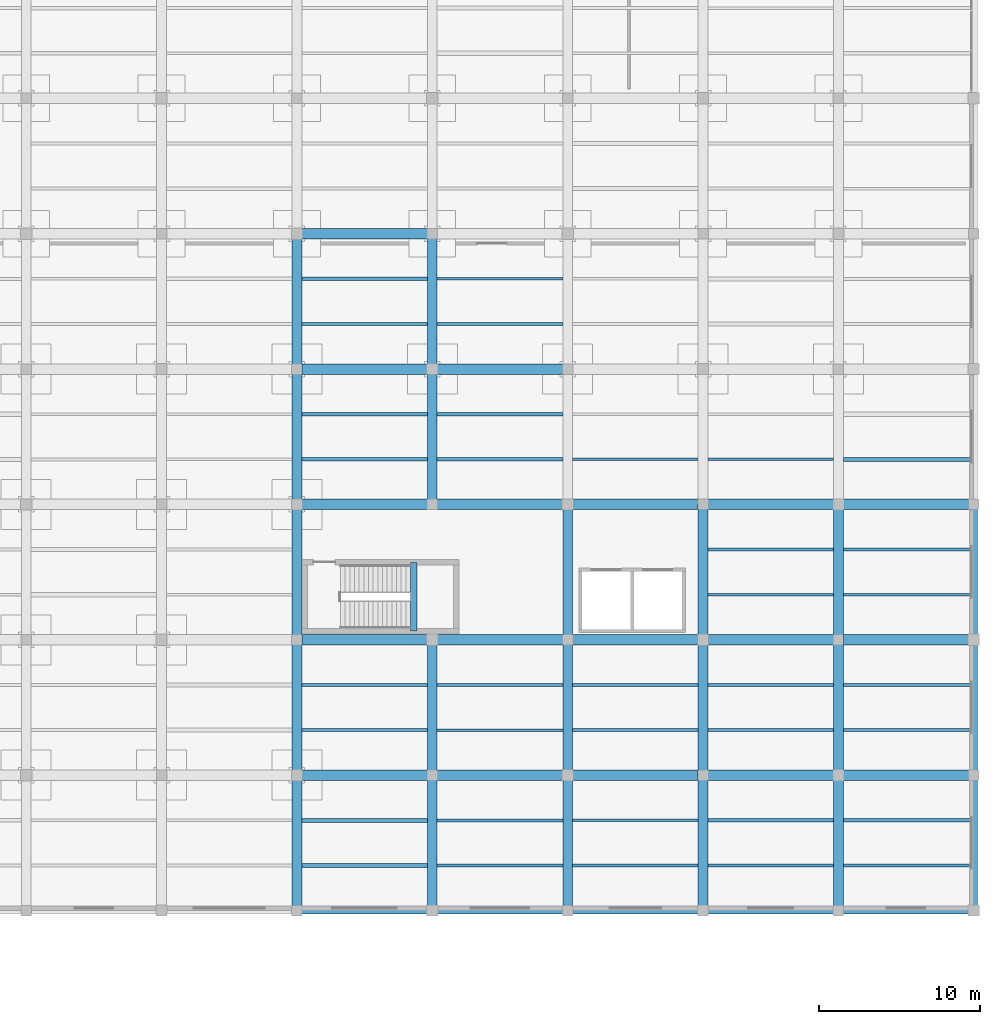
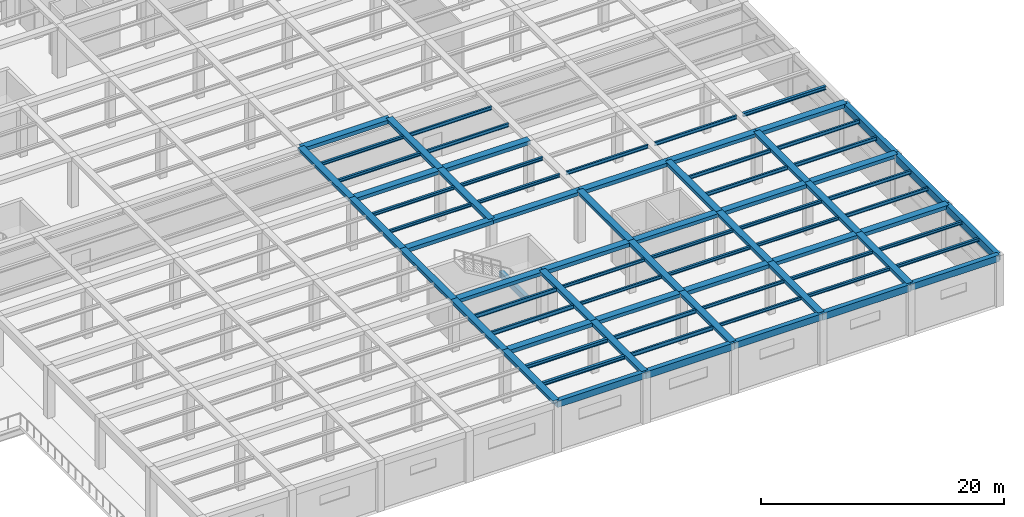
# One storey, part 52 of 95: 80 beams.
"""IFC4 building model written with IfcOpenShell, lengths in metres."""

import ifcopenshell
import ifcopenshell.guid

model = None  # the IFC model being written
_history = None  # IfcOwnerHistory: only IFC2X3 demands one
_inside = {}  # id of a spatial element -> (the spatial element, [elements in it])
_under = {}  # id of a project, library or spatial element -> (it, [spatial elements below it])
_declared = {}  # id of a project -> (the project, [libraries it declares])
_typed = {}  # id of a type object -> (the type object, [elements of that type])
_made_of = {}  # id of a material, layer set ... -> (it, [elements and type objects made of it])


def new_model(schema):
    """Start an empty IFC model of exactly this schema.

    Asked for "IFC4X3", IfcOpenShell would pick the latest addendum, in which some entities
    have other attributes; the version numbers below select the first issue.
    IFC2X3 requires an IfcOwnerHistory on every rooted entity: one is made here for all.
    """
    global model, _history
    if schema == "IFC4X3":
        model = ifcopenshell.file(schema_version=(4, 3, 0, 0))
    else:
        model = ifcopenshell.file(schema=schema)
    _inside.clear()
    _under.clear()
    _declared.clear()
    _typed.clear()
    _made_of.clear()
    _history = None
    if model.schema == "IFC2X3":
        org = make("IfcOrganization", Name="unknown")
        user = make(
            "IfcPersonAndOrganization",
            ThePerson=make("IfcPerson", FamilyName="unknown"),
            TheOrganization=org,
        )
        app = make(
            "IfcApplication",
            ApplicationDeveloper=org,
            Version="unknown",
            ApplicationFullName="unknown",
            ApplicationIdentifier="unknown",
        )
        _history = make(
            "IfcOwnerHistory",
            OwningUser=user,
            OwningApplication=app,
            ChangeAction="ADDED",
            CreationDate=0,
        )
    return model


def make(cls, **values):
    """One entity of the class cls with the attributes given. An attribute that is None is left unset."""
    return model.create_entity(
        cls, **{name: value for name, value in values.items() if value is not None}
    )


def rooted(cls, **values):
    """An entity with a GlobalId (a new one), such as an element, a storey or a relation."""
    return make(cls, GlobalId=ifcopenshell.guid.new(), OwnerHistory=_history, **values)


def si_unit(unit_type, name, prefix=None):
    """IfcSIUnit, for example si_unit("LENGTHUNIT", "METRE", prefix="MILLI")."""
    return make("IfcSIUnit", UnitType=unit_type, Prefix=prefix, Name=name)


def assignment(units):
    """IfcUnitAssignment: the units of a project."""
    return None if units is None else make("IfcUnitAssignment", Units=units)


def point(xyz):
    """IfcCartesianPoint."""
    return None if xyz is None else make("IfcCartesianPoint", Coordinates=xyz)


def direction(xyz):
    """IfcDirection."""
    return None if xyz is None else make("IfcDirection", DirectionRatios=xyz)


def frame(location, z_axis=None, x_axis=None):
    """IfcAxis2Placement3D, a coordinate frame: its origin and axes. An axis left out is left unset."""
    return make(
        "IfcAxis2Placement3D",
        Location=point(location),
        Axis=direction(z_axis),
        RefDirection=direction(x_axis),
    )


def frame_2d(location, x_axis=None):
    """IfcAxis2Placement2D, a coordinate frame in the plane: its origin and x axis."""
    return make(
        "IfcAxis2Placement2D", Location=point(location), RefDirection=direction(x_axis)
    )


def origin():
    """The frame at (0, 0, 0) with its axes left unset."""
    return frame((0.0, 0.0, 0.0))


def origin_2d():
    """The frame at (0, 0) in the plane with its x axis left unset."""
    return frame_2d((0.0, 0.0))


def place(relative_to, where):
    """IfcLocalPlacement: puts the frame where relative to a parent placement (None: the world)."""
    return make(
        "IfcLocalPlacement", PlacementRelTo=relative_to, RelativePlacement=where
    )


def context(
    kind, dimensions, precision=None, world=None, true_north=None, identifier=None
):
    """IfcGeometricRepresentationContext, for example the 3D "Model" context."""
    return make(
        "IfcGeometricRepresentationContext",
        ContextIdentifier=identifier,
        ContextType=kind,
        CoordinateSpaceDimension=dimensions,
        Precision=precision,
        WorldCoordinateSystem=world,
        TrueNorth=true_north,
    )


def subcontext(parent, identifier, kind, view, scale=None):
    """IfcGeometricRepresentationSubContext, for example "Body" below "Model"."""
    return make(
        "IfcGeometricRepresentationSubContext",
        ContextIdentifier=identifier,
        ContextType=kind,
        ParentContext=parent,
        TargetScale=scale,
        TargetView=view,
    )


def project(units=None, contexts=None):
    """IfcProject with its units and contexts."""
    return rooted(
        "IfcProject",
        Name="project",
        RepresentationContexts=contexts,
        UnitsInContext=assignment(units),
    )


def spatial(cls, under=None, at=None, **own):
    """A site, building, storey or space (cls), placed at a placement, below another one or the project."""
    s = rooted(cls, ObjectPlacement=at, **own)
    if under is not None:
        _under.setdefault(under.id(), (under, []))[1].append(s)
    return s


def profile(cls, at=None, kind="AREA", **sizes):
    """A parametric profile (cls). Its sizes go by their IFC names, for example OverallWidth=200.0."""
    return make(cls, ProfileType=kind, Position=at, **sizes)


def rectangle(**sizes):
    """IfcRectangleProfileDef."""
    return profile("IfcRectangleProfileDef", **sizes)


def i_section(**sizes):
    """IfcIShapeProfileDef."""
    return profile("IfcIShapeProfileDef", **sizes)


def extrude(swept, where, along, depth):
    """IfcExtrudedAreaSolid: the profile swept, set in the frame where, extruded along a direction by depth."""
    return make(
        "IfcExtrudedAreaSolid",
        SweptArea=swept,
        Position=where,
        ExtrudedDirection=direction(along),
        Depth=depth,
    )


def shape(context_of_items, identifier, shape_type, items):
    """IfcShapeRepresentation: the items that make up one representation, for example the "Body"."""
    return make(
        "IfcShapeRepresentation",
        ContextOfItems=context_of_items,
        RepresentationIdentifier=identifier,
        RepresentationType=shape_type,
        Items=items,
    )


def material(Name=None, Category=None):
    """IfcMaterial."""
    return make("IfcMaterial", Name=Name, Category=Category)


def material_profile(
    of_material, cross_section, Name=None, Category=None, Priority=None
):
    """IfcMaterialProfile: a cross section and its material."""
    return make(
        "IfcMaterialProfile",
        Name=Name,
        Material=of_material,
        Profile=cross_section,
        Priority=Priority,
        Category=Category,
    )


def profile_set(profiles, Name=None, composite=None):
    """IfcMaterialProfileSet."""
    return make(
        "IfcMaterialProfileSet",
        Name=Name,
        MaterialProfiles=profiles,
        CompositeProfile=composite,
    )


def made_of(thing, what):
    """Note that an element or type object is made of a material, layer set ...; save() writes the relation."""
    if what is not None:
        _made_of.setdefault(what.id(), (what, []))[1].append(thing)
    return thing


def type_object(cls, material=None, **own):
    """A type object (cls), such as IfcWallType, which elements share."""
    return made_of(rooted(cls, **own), material)


def element(
    cls,
    number,
    at=None,
    inside=None,
    cuts=None,
    type_object=None,
    material=None,
    context=None,
    identifier="Body",
    shape_type=None,
    held_by="IfcProductDefinitionShape",
    body=None,
    shapes=None,
    **own,
):
    """One element of the class cls, such as IfcWall. Its Tag is "e" and its number.

    at: its placement. inside: the storey or other place that contains it. cuts: it is an
    opening in that element (IfcRelVoidsElement). A single representation is given by context,
    identifier, shape_type and body (its items); several are given by shapes. held_by: the class
    of the entity that holds the representations. save() writes the other relations.
    """
    e = rooted(cls, Tag="e%d" % number, ObjectPlacement=at, **own)
    if body is not None:
        shapes = [shape(context, identifier, shape_type, body)]
    if shapes is not None:
        e.Representation = make(held_by, Representations=shapes)
    if inside is not None:
        _inside.setdefault(inside.id(), (inside, []))[1].append(e)
    if cuts is not None:
        rooted(
            "IfcRelVoidsElement", RelatingBuildingElement=cuts, RelatedOpeningElement=e
        )
    if type_object is not None:
        _typed.setdefault(type_object.id(), (type_object, []))[1].append(e)
    return made_of(e, material)


def aggregate(whole, parts):
    """IfcRelAggregates: a whole, such as a stair, and the parts it consists of."""
    return rooted("IfcRelAggregates", RelatingObject=whole, RelatedObjects=parts)


def save(model, path):
    """Write the relations noted so far, then the file.

    IfcRelAggregates (storeys below a building ...), IfcRelContainedInSpatialStructure (elements
    in a storey), IfcRelDefinesByType, IfcRelAssociatesMaterial and IfcRelDeclares: one each for
    every whole, place, type object, material and project.
    """
    for whole, parts in _under.values():
        aggregate(whole, parts)
    for where, things in _inside.values():
        rooted(
            "IfcRelContainedInSpatialStructure",
            RelatedElements=things,
            RelatingStructure=where,
        )
    for kind, things in _typed.values():
        rooted("IfcRelDefinesByType", RelatedObjects=things, RelatingType=kind)
    for what, things in _made_of.values():
        rooted("IfcRelAssociatesMaterial", RelatedObjects=things, RelatingMaterial=what)
    for by, libraries in _declared.values():
        rooted("IfcRelDeclares", RelatingContext=by, RelatedDefinitions=libraries)
    model.write(path)


model = new_model("IFC4")

# Units and contexts
model_context = context("Model", 3, precision=1e-05, world=origin(), true_north=direction((0.0, 1.0)))
body_context = subcontext(model_context, "Body", "Model", "MODEL_VIEW")
ifc_project = project(units=[si_unit("LENGTHUNIT", "METRE"), si_unit("AREAUNIT", "SQUARE_METRE"), si_unit("VOLUMEUNIT", "CUBIC_METRE"), si_unit("PLANEANGLEUNIT", "RADIAN"), si_unit("MASSUNIT", "GRAM", prefix="KILO")], contexts=[model_context])

# Site, building, storey
site_placement = place(None, origin())
site = spatial("IfcSite", under=ifc_project, at=site_placement, CompositionType="ELEMENT")
building_placement = place(site_placement, origin())
building = spatial("IfcBuilding", under=site, at=building_placement, Name="Almacenes y Pasaje Nevantli", CompositionType="ELEMENT")
storey_placement = place(building_placement, frame((0.0, 0.0, 11.39990234375)))
storey = spatial("IfcBuildingStorey", under=building, at=storey_placement, Name="L03", CompositionType="ELEMENT", Elevation=11.39990234375)

# Beams
ifc_material_1 = material(Name="Concrete C35/45", Category="concrete")
ifc_material_profile_1 = material_profile(ifc_material_1, rectangle(XDim=0.39990234375, YDim=0.60009765625, at=origin_2d()), Name="RC-BM-400x600")
ifc_profile_set_1 = profile_set([ifc_material_profile_1], Name="Concrete C35/45")
beam_type_1 = type_object("IfcBeamType", Name="BM-RC-400x600", PredefinedType="SPANDREL", material=ifc_profile_set_1)
beam_1_placement = place(storey_placement, frame((133.25, 17.35009765625, 2.2001953125), z_axis=(0.0, 1.0, 0.0), x_axis=(-1.0, 0.0, 0.0)))
element("IfcBeam", 1, at=beam_1_placement, inside=storey, type_object=beam_type_1, Name="L03 Stair ST-06 Half-Landing Support Beam", PredefinedType="SPANDREL", context=body_context, shape_type="SweptSolid", body=[
    extrude(rectangle(XDim=0.39990234375, YDim=0.60009765625, at=origin_2d()), origin(), (0.0, 0.0, 1.0), 4.25),
])
ifc_material_2 = material(Name="Concrete C35/45", Category="concrete")
ifc_material_profile_2 = material_profile(ifc_material_2, rectangle(XDim=0.449951171875, YDim=0.64990234375, at=origin_2d()), Name="RC-BM-450x650")
ifc_profile_set_2 = profile_set([ifc_material_profile_2], Name="Concrete C35/45")
beam_type_2 = type_object("IfcBeamType", Name="BM-RC-450x650", PredefinedType="SPANDREL", material=ifc_profile_set_2)
for number, where, z_axis, x_axis, name in (
    (2, (126.0, 0.0, 4.775146484375), (1.0, 0.0, 0.0), (0.0, 1.0, 0.0), "L03 East-West Reinforced Concrete Beam #2249"),
    (3, (142.800048828125, 0.0, 4.775146484375), (1.0, 0.0, 0.0), (0.0, 1.0, 0.0), "L03 East-West Reinforced Concrete Beam #2251"),
    (4, (159.60009765625, 0.0, 4.775146484375), (1.0, 0.0, 0.0), (0.0, 1.0, 0.0), "L03 East-West Reinforced Concrete Beam #2253"),
):
    element("IfcBeam", number, at=place(storey_placement, frame(where, z_axis=z_axis, x_axis=x_axis)), inside=storey, type_object=beam_type_2, Name=name, PredefinedType="SPANDREL", context=body_context, shape_type="SweptSolid", body=[
        extrude(rectangle(XDim=0.449951171875, YDim=0.64990234375, at=origin_2d()), origin(), (0.0, 0.0, 1.0), 8.39990234375),
    ])
ifc_material_3 = material(Name="Concrete C35/45", Category="concrete")
ifc_material_profile_3 = material_profile(ifc_material_3, rectangle(XDim=0.449951171875, YDim=0.699951171875, at=origin_2d()), Name="RC-BM-450x700")
ifc_profile_set_3 = profile_set([ifc_material_profile_3], Name="Concrete C35/45")
beam_type_3 = type_object("IfcBeamType", Name="BM-RC-450x700", PredefinedType="SPANDREL", material=ifc_profile_set_3)
for number, where, z_axis, x_axis, name in (
    (5, (134.39990234375, 0.0, 4.75), (1.0, 0.0, 0.0), (0.0, 1.0, 0.0), "L03 East-West Reinforced Concrete Beam #2250"),
    (6, (151.199951171875, 0.0, 4.75), (1.0, 0.0, 0.0), (0.0, 1.0, 0.0), "L03 East-West Reinforced Concrete Beam #2252"),
):
    element("IfcBeam", number, at=place(storey_placement, frame(where, z_axis=z_axis, x_axis=x_axis)), inside=storey, type_object=beam_type_3, Name=name, PredefinedType="SPANDREL", context=body_context, shape_type="SweptSolid", body=[
        extrude(rectangle(XDim=0.449951171875, YDim=0.699951171875, at=origin_2d()), origin(), (0.0, 0.0, 1.0), 8.400146484375),
    ])
beam_2_placement = place(storey_placement, frame((168.0, 0.0, 4.75), z_axis=(0.0, 1.0, 0.0), x_axis=(-1.0, 0.0, 0.0)))
element("IfcBeam", 7, at=beam_2_placement, inside=storey, type_object=beam_type_3, Name="L03 North-South Reinforced Concrete Beam #2702", PredefinedType="SPANDREL", context=body_context, shape_type="SweptSolid", body=[
    extrude(rectangle(XDim=0.449951171875, YDim=0.699951171875, at=origin_2d()), origin(), (0.0, 0.0, 1.0), 8.39990234375),
])
beam_3_placement = place(storey_placement, frame((168.0, 8.39990234375, 4.75), z_axis=(0.0, 1.0, 0.0), x_axis=(-1.0, 0.0, 0.0)))
element("IfcBeam", 8, at=beam_3_placement, inside=storey, type_object=beam_type_3, Name="L03 North-South Reinforced Concrete Beam #2703", PredefinedType="SPANDREL", context=body_context, shape_type="SweptSolid", body=[
    extrude(rectangle(XDim=0.449951171875, YDim=0.699951171875, at=origin_2d()), origin(), (0.0, 0.0, 1.0), 8.400146484375),
])
beam_4_placement = place(storey_placement, frame((168.0, 16.800048828125, 4.75), z_axis=(0.0, 1.0, 0.0), x_axis=(-1.0, 0.0, 0.0)))
element("IfcBeam", 9, at=beam_4_placement, inside=storey, type_object=beam_type_3, Name="L03 North-South Reinforced Concrete Beam #2704", PredefinedType="SPANDREL", context=body_context, shape_type="SweptSolid", body=[
    extrude(rectangle(XDim=0.449951171875, YDim=0.699951171875, at=origin_2d()), origin(), (0.0, 0.0, 1.0), 8.39990234375),
])
ifc_material_4 = material(Name="Concrete C35/45", Category="concrete")
ifc_material_profile_4 = material_profile(ifc_material_4, rectangle(XDim=0.60009765625, YDim=0.320068359375, at=origin_2d()), Name="RC-BM-600x320")
ifc_profile_set_4 = profile_set([ifc_material_profile_4], Name="Concrete C35/45")
beam_type_4 = type_object("IfcBeamType", Name="BM-RC-600x320", PredefinedType="BEAM", material=ifc_profile_set_4)
for number, where, z_axis, x_axis, name in (
    (10, (126.0, 0.0, 4.940185546875), (0.0, 1.0, 0.0), (-1.0, 0.0, 0.0), "L03 North-South Reinforced Concrete Beam #2636"),
    (11, (126.0, 16.800048828125, 4.940185546875), (0.0, 1.0, 0.0), (-1.0, 0.0, 0.0), "L03 North-South Reinforced Concrete Beam #2638"),
    (12, (126.0, 33.60009765625, 4.940185546875), (0.0, 1.0, 0.0), (-1.0, 0.0, 0.0), "L03 North-South Reinforced Concrete Beam #2640"),
):
    element("IfcBeam", number, at=place(storey_placement, frame(where, z_axis=z_axis, x_axis=x_axis)), inside=storey, type_object=beam_type_4, Name=name, PredefinedType="BEAM", context=body_context, shape_type="SweptSolid", body=[
        extrude(rectangle(XDim=0.60009765625, YDim=0.320068359375, at=origin_2d()), origin(), (0.0, 0.0, 1.0), 8.39990234375),
    ])
for number, where, z_axis, x_axis, name in (
    (13, (134.39990234375, 8.39990234375, 4.940185546875), (0.0, 1.0, 0.0), (-1.0, 0.0, 0.0), "L03 North-South Reinforced Concrete Beam #2650"),
    (14, (134.39990234375, 25.199951171875, 4.940185546875), (0.0, 1.0, 0.0), (-1.0, 0.0, 0.0), "L03 North-South Reinforced Concrete Beam #2651"),
):
    element("IfcBeam", number, at=place(storey_placement, frame(where, z_axis=z_axis, x_axis=x_axis)), inside=storey, type_object=beam_type_4, Name=name, PredefinedType="BEAM", context=body_context, shape_type="SweptSolid", body=[
        extrude(rectangle(XDim=0.60009765625, YDim=0.320068359375, at=origin_2d()), origin(), (0.0, 0.0, 1.0), 8.400146484375),
    ])
for number, where, z_axis, x_axis, name in (
    (15, (142.800048828125, 0.0, 4.940185546875), (0.0, 1.0, 0.0), (-1.0, 0.0, 0.0), "L03 North-South Reinforced Concrete Beam #2661"),
    (16, (142.800048828125, 16.800048828125, 4.940185546875), (0.0, 1.0, 0.0), (-1.0, 0.0, 0.0), "L03 North-South Reinforced Concrete Beam #2663"),
):
    element("IfcBeam", number, at=place(storey_placement, frame(where, z_axis=z_axis, x_axis=x_axis)), inside=storey, type_object=beam_type_4, Name=name, PredefinedType="BEAM", context=body_context, shape_type="SweptSolid", body=[
        extrude(rectangle(XDim=0.60009765625, YDim=0.320068359375, at=origin_2d()), origin(), (0.0, 0.0, 1.0), 8.39990234375),
    ])
beam_5_placement = place(storey_placement, frame((151.199951171875, 8.39990234375, 4.940185546875), z_axis=(0.0, 1.0, 0.0), x_axis=(-1.0, 0.0, 0.0)))
element("IfcBeam", 17, at=beam_5_placement, inside=storey, type_object=beam_type_4, Name="L03 North-South Reinforced Concrete Beam #2676", PredefinedType="BEAM", context=body_context, shape_type="SweptSolid", body=[
    extrude(rectangle(XDim=0.60009765625, YDim=0.320068359375, at=origin_2d()), origin(), (0.0, 0.0, 1.0), 8.400146484375),
])
for number, where, z_axis, x_axis, name in (
    (18, (159.60009765625, 0.0, 4.940185546875), (0.0, 1.0, 0.0), (-1.0, 0.0, 0.0), "L03 North-South Reinforced Concrete Beam #2688"),
    (19, (159.60009765625, 16.800048828125, 4.940185546875), (0.0, 1.0, 0.0), (-1.0, 0.0, 0.0), "L03 North-South Reinforced Concrete Beam #2690"),
):
    element("IfcBeam", number, at=place(storey_placement, frame(where, z_axis=z_axis, x_axis=x_axis)), inside=storey, type_object=beam_type_4, Name=name, PredefinedType="BEAM", context=body_context, shape_type="SweptSolid", body=[
        extrude(rectangle(XDim=0.60009765625, YDim=0.320068359375, at=origin_2d()), origin(), (0.0, 0.0, 1.0), 8.39990234375),
    ])
ifc_material_5 = material(Name="Concrete C35/45", Category="concrete")
ifc_material_profile_5 = material_profile(ifc_material_5, rectangle(XDim=0.60009765625, YDim=0.340087890625, at=origin_2d()), Name="RC-BM-600x340")
ifc_profile_set_5 = profile_set([ifc_material_profile_5], Name="Concrete C35/45")
beam_type_5 = type_object("IfcBeamType", Name="BM-RC-600x340", PredefinedType="BEAM", material=ifc_profile_set_5)
for number, where, z_axis, x_axis, name in (
    (20, (126.0, 8.39990234375, 4.93017578125), (0.0, 1.0, 0.0), (-1.0, 0.0, 0.0), "L03 North-South Reinforced Concrete Beam #2637"),
    (21, (126.0, 25.199951171875, 4.93017578125), (0.0, 1.0, 0.0), (-1.0, 0.0, 0.0), "L03 North-South Reinforced Concrete Beam #2639"),
):
    element("IfcBeam", number, at=place(storey_placement, frame(where, z_axis=z_axis, x_axis=x_axis)), inside=storey, type_object=beam_type_5, Name=name, PredefinedType="BEAM", context=body_context, shape_type="SweptSolid", body=[
        extrude(rectangle(XDim=0.60009765625, YDim=0.340087890625, at=origin_2d()), origin(), (0.0, 0.0, 1.0), 8.400146484375),
    ])
for number, where, z_axis, x_axis, name in (
    (22, (134.39990234375, 0.0, 4.93017578125), (0.0, 1.0, 0.0), (-1.0, 0.0, 0.0), "L03 North-South Reinforced Concrete Beam #2649"),
    (23, (134.39990234375, 33.60009765625, 4.93017578125), (0.0, 1.0, 0.0), (-1.0, 0.0, 0.0), "L03 North-South Reinforced Concrete Beam #2652"),
):
    element("IfcBeam", number, at=place(storey_placement, frame(where, z_axis=z_axis, x_axis=x_axis)), inside=storey, type_object=beam_type_5, Name=name, PredefinedType="BEAM", context=body_context, shape_type="SweptSolid", body=[
        extrude(rectangle(XDim=0.60009765625, YDim=0.340087890625, at=origin_2d()), origin(), (0.0, 0.0, 1.0), 8.39990234375),
    ])
beam_6_placement = place(storey_placement, frame((142.800048828125, 8.39990234375, 4.93017578125), z_axis=(0.0, 1.0, 0.0), x_axis=(-1.0, 0.0, 0.0)))
element("IfcBeam", 24, at=beam_6_placement, inside=storey, type_object=beam_type_5, Name="L03 North-South Reinforced Concrete Beam #2662", PredefinedType="BEAM", context=body_context, shape_type="SweptSolid", body=[
    extrude(rectangle(XDim=0.60009765625, YDim=0.340087890625, at=origin_2d()), origin(), (0.0, 0.0, 1.0), 8.400146484375),
])
for number, where, z_axis, x_axis, name in (
    (25, (151.199951171875, 0.0, 4.93017578125), (0.0, 1.0, 0.0), (-1.0, 0.0, 0.0), "L03 North-South Reinforced Concrete Beam #2675"),
    (26, (151.199951171875, 16.800048828125, 4.93017578125), (0.0, 1.0, 0.0), (-1.0, 0.0, 0.0), "L03 North-South Reinforced Concrete Beam #2677"),
):
    element("IfcBeam", number, at=place(storey_placement, frame(where, z_axis=z_axis, x_axis=x_axis)), inside=storey, type_object=beam_type_5, Name=name, PredefinedType="BEAM", context=body_context, shape_type="SweptSolid", body=[
        extrude(rectangle(XDim=0.60009765625, YDim=0.340087890625, at=origin_2d()), origin(), (0.0, 0.0, 1.0), 8.39990234375),
    ])
beam_7_placement = place(storey_placement, frame((159.60009765625, 8.39990234375, 4.93017578125), z_axis=(0.0, 1.0, 0.0), x_axis=(-1.0, 0.0, 0.0)))
element("IfcBeam", 27, at=beam_7_placement, inside=storey, type_object=beam_type_5, Name="L03 North-South Reinforced Concrete Beam #2689", PredefinedType="BEAM", context=body_context, shape_type="SweptSolid", body=[
    extrude(rectangle(XDim=0.60009765625, YDim=0.340087890625, at=origin_2d()), origin(), (0.0, 0.0, 1.0), 8.400146484375),
])
ifc_material_6 = material(Name="Concrete C35/45", Category="concrete")
ifc_material_profile_6 = material_profile(ifc_material_6, rectangle(XDim=0.64990234375, YDim=0.35009765625, at=origin_2d()), Name="RC-BM-650x350")
ifc_profile_set_6 = profile_set([ifc_material_profile_6], Name="Concrete C35/45")
beam_type_6 = type_object("IfcBeamType", Name="BM-RC-650x350", PredefinedType="BEAM", material=ifc_profile_set_6)
for number, where, z_axis, x_axis, name in (
    (28, (134.39990234375, 8.39990234375, 4.925048828125), (1.0, 0.0, 0.0), (0.0, 1.0, 0.0), "L03 East-West Reinforced Concrete Beam #2264"),
    (29, (151.199951171875, 8.39990234375, 4.925048828125), (1.0, 0.0, 0.0), (0.0, 1.0, 0.0), "L03 East-West Reinforced Concrete Beam #2266"),
):
    element("IfcBeam", number, at=place(storey_placement, frame(where, z_axis=z_axis, x_axis=x_axis)), inside=storey, type_object=beam_type_6, Name=name, PredefinedType="BEAM", context=body_context, shape_type="SweptSolid", body=[
        extrude(rectangle(XDim=0.64990234375, YDim=0.35009765625, at=origin_2d()), origin(), (0.0, 0.0, 1.0), 8.400146484375),
    ])
for number, where, z_axis, x_axis, name in (
    (30, (126.0, 16.800048828125, 4.925048828125), (1.0, 0.0, 0.0), (0.0, 1.0, 0.0), "L03 East-West Reinforced Concrete Beam #2277"),
    (31, (142.800048828125, 16.800048828125, 4.925048828125), (1.0, 0.0, 0.0), (0.0, 1.0, 0.0), "L03 East-West Reinforced Concrete Beam #2279"),
    (32, (159.60009765625, 16.800048828125, 4.925048828125), (1.0, 0.0, 0.0), (0.0, 1.0, 0.0), "L03 East-West Reinforced Concrete Beam #2281"),
):
    element("IfcBeam", number, at=place(storey_placement, frame(where, z_axis=z_axis, x_axis=x_axis)), inside=storey, type_object=beam_type_6, Name=name, PredefinedType="BEAM", context=body_context, shape_type="SweptSolid", body=[
        extrude(rectangle(XDim=0.64990234375, YDim=0.35009765625, at=origin_2d()), origin(), (0.0, 0.0, 1.0), 8.39990234375),
    ])
for number, where, z_axis, x_axis, name in (
    (33, (134.39990234375, 25.199951171875, 4.925048828125), (1.0, 0.0, 0.0), (0.0, 1.0, 0.0), "L03 East-West Reinforced Concrete Beam #2295"),
    (34, (151.199951171875, 25.199951171875, 4.925048828125), (1.0, 0.0, 0.0), (0.0, 1.0, 0.0), "L03 East-West Reinforced Concrete Beam #2297"),
):
    element("IfcBeam", number, at=place(storey_placement, frame(where, z_axis=z_axis, x_axis=x_axis)), inside=storey, type_object=beam_type_6, Name=name, PredefinedType="BEAM", context=body_context, shape_type="SweptSolid", body=[
        extrude(rectangle(XDim=0.64990234375, YDim=0.35009765625, at=origin_2d()), origin(), (0.0, 0.0, 1.0), 8.400146484375),
    ])
beam_8_placement = place(storey_placement, frame((126.0, 33.60009765625, 4.925048828125), z_axis=(1.0, 0.0, 0.0), x_axis=(0.0, 1.0, 0.0)))
element("IfcBeam", 35, at=beam_8_placement, inside=storey, type_object=beam_type_6, Name="L03 East-West Reinforced Concrete Beam #2311", PredefinedType="BEAM", context=body_context, shape_type="SweptSolid", body=[
    extrude(rectangle(XDim=0.64990234375, YDim=0.35009765625, at=origin_2d()), origin(), (0.0, 0.0, 1.0), 8.39990234375),
])
ifc_material_7 = material(Name="Concrete C35/45", Category="concrete")
ifc_material_profile_7 = material_profile(ifc_material_7, rectangle(XDim=0.64990234375, YDim=0.3798828125, at=origin_2d()), Name="RC-BM-650x380")
ifc_profile_set_7 = profile_set([ifc_material_profile_7], Name="Concrete C35/45")
beam_type_7 = type_object("IfcBeamType", Name="BM-RC-650x380", PredefinedType="BEAM", material=ifc_profile_set_7)
for number, where, z_axis, x_axis, name in (
    (36, (126.0, 8.39990234375, 4.91015625), (1.0, 0.0, 0.0), (0.0, 1.0, 0.0), "L03 East-West Reinforced Concrete Beam #2263"),
    (37, (142.800048828125, 8.39990234375, 4.91015625), (1.0, 0.0, 0.0), (0.0, 1.0, 0.0), "L03 East-West Reinforced Concrete Beam #2265"),
    (38, (159.60009765625, 8.39990234375, 4.91015625), (1.0, 0.0, 0.0), (0.0, 1.0, 0.0), "L03 East-West Reinforced Concrete Beam #2267"),
):
    element("IfcBeam", number, at=place(storey_placement, frame(where, z_axis=z_axis, x_axis=x_axis)), inside=storey, type_object=beam_type_7, Name=name, PredefinedType="BEAM", context=body_context, shape_type="SweptSolid", body=[
        extrude(rectangle(XDim=0.64990234375, YDim=0.3798828125, at=origin_2d()), origin(), (0.0, 0.0, 1.0), 8.39990234375),
    ])
for number, where, z_axis, x_axis, name in (
    (39, (134.39990234375, 16.800048828125, 4.91015625), (1.0, 0.0, 0.0), (0.0, 1.0, 0.0), "L03 East-West Reinforced Concrete Beam #2278"),
    (40, (151.199951171875, 16.800048828125, 4.91015625), (1.0, 0.0, 0.0), (0.0, 1.0, 0.0), "L03 East-West Reinforced Concrete Beam #2280"),
):
    element("IfcBeam", number, at=place(storey_placement, frame(where, z_axis=z_axis, x_axis=x_axis)), inside=storey, type_object=beam_type_7, Name=name, PredefinedType="BEAM", context=body_context, shape_type="SweptSolid", body=[
        extrude(rectangle(XDim=0.64990234375, YDim=0.3798828125, at=origin_2d()), origin(), (0.0, 0.0, 1.0), 8.400146484375),
    ])
for number, where, z_axis, x_axis, name in (
    (41, (126.0, 25.199951171875, 4.91015625), (1.0, 0.0, 0.0), (0.0, 1.0, 0.0), "L03 East-West Reinforced Concrete Beam #2294"),
    (42, (142.800048828125, 25.199951171875, 4.91015625), (1.0, 0.0, 0.0), (0.0, 1.0, 0.0), "L03 East-West Reinforced Concrete Beam #2296"),
    (43, (159.60009765625, 25.199951171875, 4.91015625), (1.0, 0.0, 0.0), (0.0, 1.0, 0.0), "L03 East-West Reinforced Concrete Beam #2298"),
):
    element("IfcBeam", number, at=place(storey_placement, frame(where, z_axis=z_axis, x_axis=x_axis)), inside=storey, type_object=beam_type_7, Name=name, PredefinedType="BEAM", context=body_context, shape_type="SweptSolid", body=[
        extrude(rectangle(XDim=0.64990234375, YDim=0.3798828125, at=origin_2d()), origin(), (0.0, 0.0, 1.0), 8.39990234375),
    ])
beam_9_placement = place(storey_placement, frame((134.39990234375, 33.60009765625, 4.91015625), z_axis=(1.0, 0.0, 0.0), x_axis=(0.0, 1.0, 0.0)))
element("IfcBeam", 44, at=beam_9_placement, inside=storey, type_object=beam_type_7, Name="L03 East-West Reinforced Concrete Beam #2312", PredefinedType="BEAM", context=body_context, shape_type="SweptSolid", body=[
    extrude(rectangle(XDim=0.64990234375, YDim=0.3798828125, at=origin_2d()), origin(), (0.0, 0.0, 1.0), 8.400146484375),
])
beam_10_placement = place(storey_placement, frame((126.0, 42.0, 4.91015625), z_axis=(1.0, 0.0, 0.0), x_axis=(0.0, 1.0, 0.0)))
element("IfcBeam", 45, at=beam_10_placement, inside=storey, type_object=beam_type_7, Name="L03 East-West Reinforced Concrete Beam #2328", PredefinedType="BEAM", context=body_context, shape_type="SweptSolid", body=[
    extrude(rectangle(XDim=0.64990234375, YDim=0.3798828125, at=origin_2d()), origin(), (0.0, 0.0, 1.0), 8.39990234375),
])
ifc_material_8 = material(Name="Steel ASTM A992", Category="steel")
ifc_material_profile_8 = material_profile(ifc_material_8, i_section(OverallWidth=0.1650390625, OverallDepth=0.306884765625, WebThickness=0.006591796875, FlangeThickness=0.01025390625, at=origin_2d()), Name="IR 305x44.6")
ifc_profile_set_8 = profile_set([ifc_material_profile_8], Name="Steel ASTM A992")
beam_type_8 = type_object("IfcBeamType", Name="BM-STL-IR-305x44p6", PredefinedType="JOIST", material=ifc_profile_set_8)
for number, where, z_axis, x_axis, name in (
    (46, (134.699951171875, 11.199951171875, 4.9384765625), (1.0, 0.0, 0.0), (0.0, 1.0, 0.0), "L03 Secondary Steel Floor Joist #917"),
    (47, (134.699951171875, 14.0, 4.9384765625), (1.0, 0.0, 0.0), (0.0, 1.0, 0.0), "L03 Secondary Steel Floor Joist #918"),
):
    element("IfcBeam", number, at=place(storey_placement, frame(where, z_axis=z_axis, x_axis=x_axis)), inside=storey, type_object=beam_type_8, Name=name, PredefinedType="JOIST", context=body_context, shape_type="SweptSolid", body=[
        extrude(i_section(OverallWidth=0.1650390625, OverallDepth=0.306884765625, WebThickness=0.006591796875, FlangeThickness=0.01025390625, at=origin_2d()), origin(), (0.0, 0.0, 1.0), 7.800048828125),
    ])
for number, where, z_axis, x_axis, name in (
    (48, (143.10009765625, 2.800048828125, 4.9384765625), (1.0, 0.0, 0.0), (0.0, 1.0, 0.0), "L03 Secondary Steel Floor Joist #937"),
    (49, (143.10009765625, 5.60009765625, 4.9384765625), (1.0, 0.0, 0.0), (0.0, 1.0, 0.0), "L03 Secondary Steel Floor Joist #938"),
):
    element("IfcBeam", number, at=place(storey_placement, frame(where, z_axis=z_axis, x_axis=x_axis)), inside=storey, type_object=beam_type_8, Name=name, PredefinedType="JOIST", context=body_context, shape_type="SweptSolid", body=[
        extrude(i_section(OverallWidth=0.1650390625, OverallDepth=0.306884765625, WebThickness=0.006591796875, FlangeThickness=0.01025390625, at=origin_2d()), origin(), (0.0, 0.0, 1.0), 7.7998046875),
    ])
ifc_material_9 = material(Name="Steel ASTM A992", Category="steel")
ifc_material_profile_9 = material_profile(ifc_material_9, i_section(OverallWidth=0.202880859375, OverallDepth=0.304931640625, WebThickness=0.007568359375, FlangeThickness=0.01318359375, at=origin_2d()), Name="IR 305x59.5")
ifc_profile_set_9 = profile_set([ifc_material_profile_9], Name="Steel ASTM A992")
beam_type_9 = type_object("IfcBeamType", Name="BM-STL-IR-305x59p5", PredefinedType="JOIST", material=ifc_profile_set_9)
for number, where, z_axis, x_axis, name in (
    (50, (126.300048828125, 28.0, 4.939697265625), (1.0, 0.0, 0.0), (0.0, 1.0, 0.0), "L03 Secondary Steel Floor Joist #899"),
    (51, (126.300048828125, 30.800048828125, 4.939697265625), (1.0, 0.0, 0.0), (0.0, 1.0, 0.0), "L03 Secondary Steel Floor Joist #900"),
):
    element("IfcBeam", number, at=place(storey_placement, frame(where, z_axis=z_axis, x_axis=x_axis)), inside=storey, type_object=beam_type_9, Name=name, PredefinedType="JOIST", context=body_context, shape_type="SweptSolid", body=[
        extrude(i_section(OverallWidth=0.202880859375, OverallDepth=0.304931640625, WebThickness=0.007568359375, FlangeThickness=0.01318359375, at=origin_2d()), origin(), (0.0, 0.0, 1.0), 7.800048828125),
    ])
for number, where, z_axis, x_axis, name in (
    (52, (143.10009765625, 11.199951171875, 4.939697265625), (1.0, 0.0, 0.0), (0.0, 1.0, 0.0), "L03 Secondary Steel Floor Joist #939"),
    (53, (143.10009765625, 14.0, 4.939697265625), (1.0, 0.0, 0.0), (0.0, 1.0, 0.0), "L03 Secondary Steel Floor Joist #940"),
):
    element("IfcBeam", number, at=place(storey_placement, frame(where, z_axis=z_axis, x_axis=x_axis)), inside=storey, type_object=beam_type_9, Name=name, PredefinedType="JOIST", context=body_context, shape_type="SweptSolid", body=[
        extrude(i_section(OverallWidth=0.202880859375, OverallDepth=0.304931640625, WebThickness=0.007568359375, FlangeThickness=0.01318359375, at=origin_2d()), origin(), (0.0, 0.0, 1.0), 7.7998046875),
    ])
for number, where, z_axis, x_axis, name in (
    (54, (151.5, 2.800048828125, 4.939697265625), (1.0, 0.0, 0.0), (0.0, 1.0, 0.0), "L03 Secondary Steel Floor Joist #961"),
    (55, (151.5, 5.60009765625, 4.939697265625), (1.0, 0.0, 0.0), (0.0, 1.0, 0.0), "L03 Secondary Steel Floor Joist #962"),
):
    element("IfcBeam", number, at=place(storey_placement, frame(where, z_axis=z_axis, x_axis=x_axis)), inside=storey, type_object=beam_type_9, Name=name, PredefinedType="JOIST", context=body_context, shape_type="SweptSolid", body=[
        extrude(i_section(OverallWidth=0.202880859375, OverallDepth=0.304931640625, WebThickness=0.007568359375, FlangeThickness=0.01318359375, at=origin_2d()), origin(), (0.0, 0.0, 1.0), 7.800048828125),
    ])
ifc_material_10 = material(Name="Steel ASTM A992", Category="steel")
ifc_material_profile_10 = material_profile(ifc_material_10, i_section(OverallWidth=0.205078125, OverallDepth=0.31005859375, WebThickness=0.009521484375, FlangeThickness=0.016357421875, at=origin_2d()), Name="IR 305x74.4")
ifc_profile_set_10 = profile_set([ifc_material_profile_10], Name="Steel ASTM A992")
beam_type_10 = type_object("IfcBeamType", Name="BM-STL-IR-305x74p4", PredefinedType="JOIST", material=ifc_profile_set_10)
for number, where, z_axis, x_axis, name in (
    (56, (126.300048828125, 36.39990234375, 4.93701171875), (1.0, 0.0, 0.0), (0.0, 1.0, 0.0), "L03 Secondary Steel Floor Joist #901"),
    (57, (126.300048828125, 39.199951171875, 4.93701171875), (1.0, 0.0, 0.0), (0.0, 1.0, 0.0), "L03 Secondary Steel Floor Joist #902"),
    (58, (134.699951171875, 28.0, 4.93701171875), (1.0, 0.0, 0.0), (0.0, 1.0, 0.0), "L03 Secondary Steel Floor Joist #919"),
    (59, (134.699951171875, 30.800048828125, 4.93701171875), (1.0, 0.0, 0.0), (0.0, 1.0, 0.0), "L03 Secondary Steel Floor Joist #920"),
    (60, (151.5, 11.199951171875, 4.93701171875), (1.0, 0.0, 0.0), (0.0, 1.0, 0.0), "L03 Secondary Steel Floor Joist #963"),
    (61, (151.5, 14.0, 4.93701171875), (1.0, 0.0, 0.0), (0.0, 1.0, 0.0), "L03 Secondary Steel Floor Joist #964"),
):
    element("IfcBeam", number, at=place(storey_placement, frame(where, z_axis=z_axis, x_axis=x_axis)), inside=storey, type_object=beam_type_10, Name=name, PredefinedType="JOIST", context=body_context, shape_type="SweptSolid", body=[
        extrude(i_section(OverallWidth=0.205078125, OverallDepth=0.31005859375, WebThickness=0.009521484375, FlangeThickness=0.016357421875, at=origin_2d()), origin(), (0.0, 0.0, 1.0), 7.800048828125),
    ])
for number, where, z_axis, x_axis, name in (
    (62, (159.89990234375, 2.800048828125, 4.93701171875), (1.0, 0.0, 0.0), (0.0, 1.0, 0.0), "L03 Secondary Steel Floor Joist #987"),
    (63, (159.89990234375, 5.60009765625, 4.93701171875), (1.0, 0.0, 0.0), (0.0, 1.0, 0.0), "L03 Secondary Steel Floor Joist #988"),
):
    element("IfcBeam", number, at=place(storey_placement, frame(where, z_axis=z_axis, x_axis=x_axis)), inside=storey, type_object=beam_type_10, Name=name, PredefinedType="JOIST", context=body_context, shape_type="SweptSolid", body=[
        extrude(i_section(OverallWidth=0.205078125, OverallDepth=0.31005859375, WebThickness=0.009521484375, FlangeThickness=0.016357421875, at=origin_2d()), origin(), (0.0, 0.0, 1.0), 7.875),
    ])
ifc_material_11 = material(Name="Steel ASTM A992", Category="steel")
ifc_material_profile_11 = material_profile(ifc_material_11, i_section(OverallWidth=0.173095703125, OverallDepth=0.35302734375, WebThickness=0.0078125, FlangeThickness=0.01318359375, at=origin_2d()), Name="IR 356x56.6")
ifc_profile_set_11 = profile_set([ifc_material_profile_11], Name="Steel ASTM A992")
beam_type_11 = type_object("IfcBeamType", Name="BM-STL-IR-356x56p6", PredefinedType="JOIST", material=ifc_profile_set_11)
for number, where, z_axis, x_axis, name in (
    (64, (134.699951171875, 36.39990234375, 4.91552734375), (1.0, 0.0, 0.0), (0.0, 1.0, 0.0), "L03 Secondary Steel Floor Joist #921"),
    (65, (134.699951171875, 39.199951171875, 4.91552734375), (1.0, 0.0, 0.0), (0.0, 1.0, 0.0), "L03 Secondary Steel Floor Joist #922"),
):
    element("IfcBeam", number, at=place(storey_placement, frame(where, z_axis=z_axis, x_axis=x_axis)), inside=storey, type_object=beam_type_11, Name=name, PredefinedType="JOIST", context=body_context, shape_type="SweptSolid", body=[
        extrude(i_section(OverallWidth=0.173095703125, OverallDepth=0.35302734375, WebThickness=0.0078125, FlangeThickness=0.01318359375, at=origin_2d()), origin(), (0.0, 0.0, 1.0), 7.800048828125),
    ])
beam_11_placement = place(storey_placement, frame((143.10009765625, 28.0, 4.91552734375), z_axis=(1.0, 0.0, 0.0), x_axis=(0.0, 1.0, 0.0)))
element("IfcBeam", 66, at=beam_11_placement, inside=storey, type_object=beam_type_11, Name="L03 Secondary Steel Floor Joist #941", PredefinedType="JOIST", context=body_context, shape_type="SweptSolid", body=[
    extrude(i_section(OverallWidth=0.173095703125, OverallDepth=0.35302734375, WebThickness=0.0078125, FlangeThickness=0.01318359375, at=origin_2d()), origin(), (0.0, 0.0, 1.0), 7.7998046875),
])
for number, where, z_axis, x_axis, name in (
    (67, (151.5, 19.60009765625, 4.91552734375), (1.0, 0.0, 0.0), (0.0, 1.0, 0.0), "L03 Secondary Steel Floor Joist #965"),
    (68, (151.5, 22.39990234375, 4.91552734375), (1.0, 0.0, 0.0), (0.0, 1.0, 0.0), "L03 Secondary Steel Floor Joist #966"),
):
    element("IfcBeam", number, at=place(storey_placement, frame(where, z_axis=z_axis, x_axis=x_axis)), inside=storey, type_object=beam_type_11, Name=name, PredefinedType="JOIST", context=body_context, shape_type="SweptSolid", body=[
        extrude(i_section(OverallWidth=0.173095703125, OverallDepth=0.35302734375, WebThickness=0.0078125, FlangeThickness=0.01318359375, at=origin_2d()), origin(), (0.0, 0.0, 1.0), 7.800048828125),
    ])
for number, where, z_axis, x_axis, name in (
    (69, (159.89990234375, 11.199951171875, 4.91552734375), (1.0, 0.0, 0.0), (0.0, 1.0, 0.0), "L03 Secondary Steel Floor Joist #989"),
    (70, (159.89990234375, 14.0, 4.91552734375), (1.0, 0.0, 0.0), (0.0, 1.0, 0.0), "L03 Secondary Steel Floor Joist #990"),
):
    element("IfcBeam", number, at=place(storey_placement, frame(where, z_axis=z_axis, x_axis=x_axis)), inside=storey, type_object=beam_type_11, Name=name, PredefinedType="JOIST", context=body_context, shape_type="SweptSolid", body=[
        extrude(i_section(OverallWidth=0.173095703125, OverallDepth=0.35302734375, WebThickness=0.0078125, FlangeThickness=0.01318359375, at=origin_2d()), origin(), (0.0, 0.0, 1.0), 7.875),
    ])
ifc_material_12 = material(Name="Steel ASTM A992", Category="steel")
ifc_material_profile_12 = material_profile(ifc_material_12, i_section(OverallWidth=0.173095703125, OverallDepth=0.364013671875, WebThickness=0.009033203125, FlangeThickness=0.015625, at=origin_2d()), Name="IR 356x67.0")
ifc_profile_set_12 = profile_set([ifc_material_profile_12], Name="Steel ASTM A992")
beam_type_12 = type_object("IfcBeamType", Name="BM-STL-IR-356x67p0", PredefinedType="JOIST", material=ifc_profile_set_12)
beam_12_placement = place(storey_placement, frame((151.5, 28.0, 4.91015625), z_axis=(1.0, 0.0, 0.0), x_axis=(0.0, 1.0, 0.0)))
element("IfcBeam", 71, at=beam_12_placement, inside=storey, type_object=beam_type_12, Name="L03 Secondary Steel Floor Joist #967", PredefinedType="JOIST", context=body_context, shape_type="SweptSolid", body=[
    extrude(i_section(OverallWidth=0.173095703125, OverallDepth=0.364013671875, WebThickness=0.009033203125, FlangeThickness=0.015625, at=origin_2d()), origin(), (0.0, 0.0, 1.0), 7.800048828125),
])
for number, where, z_axis, x_axis, name in (
    (72, (159.89990234375, 19.60009765625, 4.91015625), (1.0, 0.0, 0.0), (0.0, 1.0, 0.0), "L03 Secondary Steel Floor Joist #991"),
    (73, (159.89990234375, 22.39990234375, 4.91015625), (1.0, 0.0, 0.0), (0.0, 1.0, 0.0), "L03 Secondary Steel Floor Joist #992"),
):
    element("IfcBeam", number, at=place(storey_placement, frame(where, z_axis=z_axis, x_axis=x_axis)), inside=storey, type_object=beam_type_12, Name=name, PredefinedType="JOIST", context=body_context, shape_type="SweptSolid", body=[
        extrude(i_section(OverallWidth=0.173095703125, OverallDepth=0.364013671875, WebThickness=0.009033203125, FlangeThickness=0.015625, at=origin_2d()), origin(), (0.0, 0.0, 1.0), 7.875),
    ])
ifc_material_13 = material(Name="Steel ASTM A992", Category="steel")
ifc_material_profile_13 = material_profile(ifc_material_13, i_section(OverallWidth=0.25390625, OverallDepth=0.35595703125, WebThickness=0.009521484375, FlangeThickness=0.016357421875, at=origin_2d()), Name="IR 356x79.0")
ifc_profile_set_13 = profile_set([ifc_material_profile_13], Name="Steel ASTM A992")
beam_type_13 = type_object("IfcBeamType", Name="BM-STL-IR-356x79p0", PredefinedType="JOIST", material=ifc_profile_set_13)
for number, where, z_axis, x_axis, name in (
    (74, (126.300048828125, 2.800048828125, 4.9140625), (1.0, 0.0, 0.0), (0.0, 1.0, 0.0), "L03 Secondary Steel Floor Joist #895"),
    (75, (126.300048828125, 5.60009765625, 4.9140625), (1.0, 0.0, 0.0), (0.0, 1.0, 0.0), "L03 Secondary Steel Floor Joist #896"),
):
    element("IfcBeam", number, at=place(storey_placement, frame(where, z_axis=z_axis, x_axis=x_axis)), inside=storey, type_object=beam_type_13, Name=name, PredefinedType="JOIST", context=body_context, shape_type="SweptSolid", body=[
        extrude(i_section(OverallWidth=0.25390625, OverallDepth=0.35595703125, WebThickness=0.009521484375, FlangeThickness=0.016357421875, at=origin_2d()), origin(), (0.0, 0.0, 1.0), 7.800048828125),
    ])
beam_13_placement = place(storey_placement, frame((159.89990234375, 28.0, 4.9140625), z_axis=(1.0, 0.0, 0.0), x_axis=(0.0, 1.0, 0.0)))
element("IfcBeam", 76, at=beam_13_placement, inside=storey, type_object=beam_type_13, Name="L03 Secondary Steel Floor Joist #993", PredefinedType="JOIST", context=body_context, shape_type="SweptSolid", body=[
    extrude(i_section(OverallWidth=0.25390625, OverallDepth=0.35595703125, WebThickness=0.009521484375, FlangeThickness=0.016357421875, at=origin_2d()), origin(), (0.0, 0.0, 1.0), 7.875),
])
ifc_material_14 = material(Name="Steel ASTM A992", Category="steel")
ifc_material_profile_14 = material_profile(ifc_material_14, i_section(OverallWidth=0.178955078125, OverallDepth=0.406005859375, WebThickness=0.0087890625, FlangeThickness=0.014404296875, at=origin_2d()), Name="IR 406x67.0")
ifc_profile_set_14 = profile_set([ifc_material_profile_14], Name="Steel ASTM A992")
beam_type_14 = type_object("IfcBeamType", Name="BM-STL-IR-406x67p0", PredefinedType="JOIST", material=ifc_profile_set_14)
for number, where, z_axis, x_axis, name in (
    (77, (126.300048828125, 11.199951171875, 4.88916015625), (1.0, 0.0, 0.0), (0.0, 1.0, 0.0), "L03 Secondary Steel Floor Joist #897"),
    (78, (126.300048828125, 14.0, 4.88916015625), (1.0, 0.0, 0.0), (0.0, 1.0, 0.0), "L03 Secondary Steel Floor Joist #898"),
    (79, (134.699951171875, 2.800048828125, 4.88916015625), (1.0, 0.0, 0.0), (0.0, 1.0, 0.0), "L03 Secondary Steel Floor Joist #915"),
    (80, (134.699951171875, 5.60009765625, 4.88916015625), (1.0, 0.0, 0.0), (0.0, 1.0, 0.0), "L03 Secondary Steel Floor Joist #916"),
):
    element("IfcBeam", number, at=place(storey_placement, frame(where, z_axis=z_axis, x_axis=x_axis)), inside=storey, type_object=beam_type_14, Name=name, PredefinedType="JOIST", context=body_context, shape_type="SweptSolid", body=[
        extrude(i_section(OverallWidth=0.178955078125, OverallDepth=0.406005859375, WebThickness=0.0087890625, FlangeThickness=0.014404296875, at=origin_2d()), origin(), (0.0, 0.0, 1.0), 7.800048828125),
    ])

save(model, "model.ifc")
